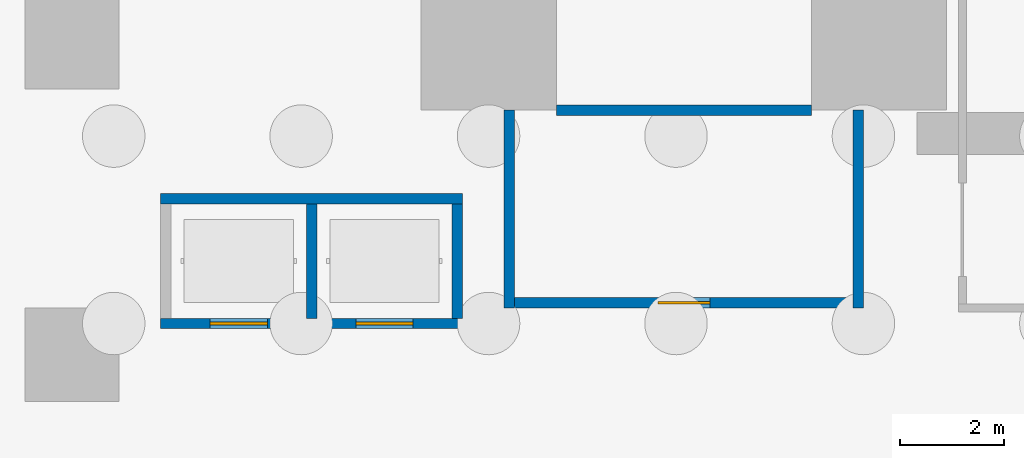
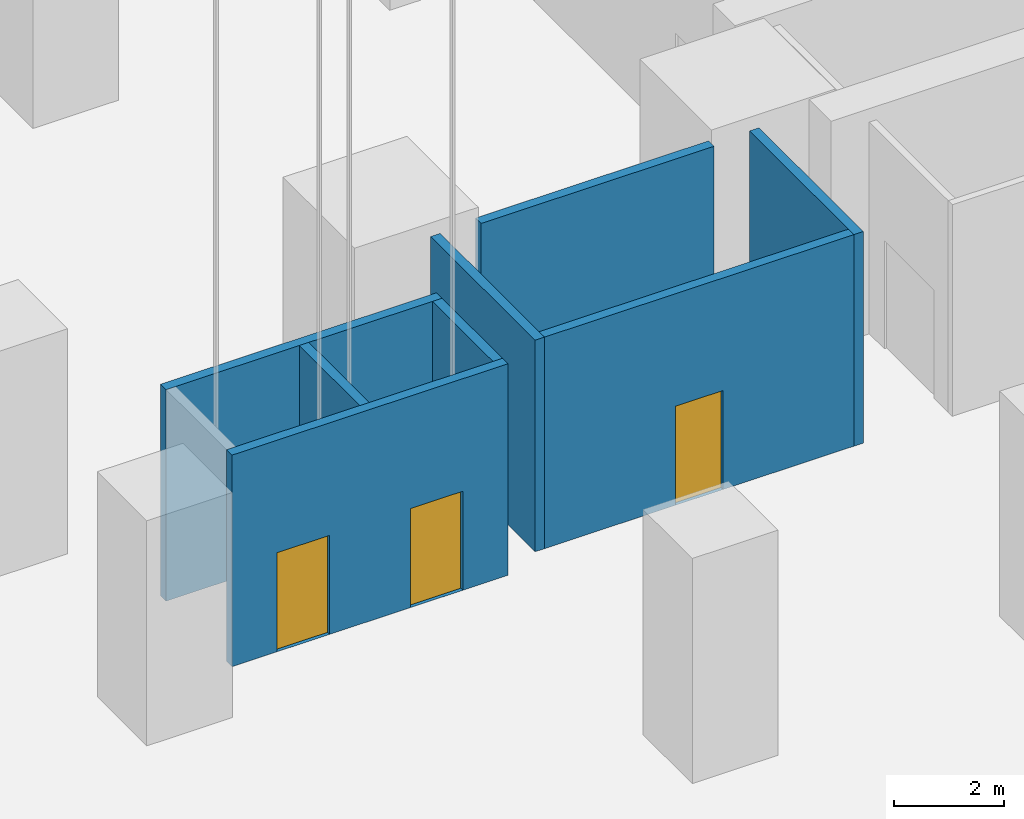
# One storey, part 7 of 31: 8 walls, 3 doors, 3 openings.
"""IFC4 building model written with IfcOpenShell, lengths in metres."""

from ifc_helpers import new_model, si_unit, direction, frame, frame_2d, origin, place, context, subcontext, project, spatial, rectangle, extrude, material, layer, layer_set, type_object, element, fill, save


model = new_model("IFC4")

# Units and contexts
model_context = context("Model", 3, precision=1e-05, world=origin(), true_north=direction((0.0, 1.0)))
body_context = subcontext(model_context, "Body", "Model", "MODEL_VIEW")
ifc_project = project(units=[si_unit("LENGTHUNIT", "METRE"), si_unit("AREAUNIT", "SQUARE_METRE"), si_unit("VOLUMEUNIT", "CUBIC_METRE"), si_unit("PLANEANGLEUNIT", "RADIAN"), si_unit("MASSUNIT", "GRAM", prefix="KILO")], contexts=[model_context])

# Site, building, storey
site_placement = place(None, origin())
site = spatial("IfcSite", under=ifc_project, at=site_placement, CompositionType="ELEMENT")
building_placement = place(site_placement, origin())
building = spatial("IfcBuilding", under=site, at=building_placement, Name="Mizan Broadcast Tower", CompositionType="ELEMENT")
storey_placement = place(building_placement, frame((0.0, 0.0, -10.0)))
storey = spatial("IfcBuildingStorey", under=building, at=storey_placement, Name="B2", CompositionType="ELEMENT", Elevation=-10.0)

# Wall
ifc_material_1 = material(Name="Concrete blockwork", Category="masonry")
ifc_layer_1 = layer(ifc_material_1, 0.199951171875)
ifc_layer_set_1 = layer_set([ifc_layer_1], Name="Concrete blockwork")
wall_type_1 = type_object("IfcWallType", Name="LIFT SHAFT WALL 200", PredefinedType="SOLIDWALL", material=ifc_layer_set_1)
wall_1_placement = place(storey_placement, frame((-27.5, -3.0, 0.0), z_axis=(0.0, 0.0, 1.0), x_axis=(-1.0, 0.0, 0.0)))
element("IfcWall", 1, at=wall_1_placement, inside=storey, type_object=wall_type_1, Name="Lift shaft wall PLS/V0", PredefinedType="SOLIDWALL", context=body_context, shape_type="SweptSolid", body=[
    extrude(rectangle(XDim=5.800048828125, YDim=0.199951171875, at=frame_2d((2.89990234375, 0.0))), origin(), (0.0, 0.0, 1.0), 4.699951171875),
])

# Wall, openings, doors
wall_2_placement = place(storey_placement, frame((-33.300048828125, -5.39990234375, 0.0), z_axis=(0.0, 0.0, 1.0), x_axis=(1.0, 0.0, 0.0)))
wall_2 = element("IfcWall", 2, at=wall_2_placement, inside=storey, type_object=wall_type_1, Name="Lift shaft wall PLS/V1", PredefinedType="SOLIDWALL", context=body_context, shape_type="SweptSolid", body=[
    extrude(rectangle(XDim=5.800048828125, YDim=0.199951171875, at=frame_2d((2.89990234375, 0.0))), origin(), (0.0, 0.0, 1.0), 4.699951171875),
])
opening_1_placement = place(wall_2_placement, frame((3.75, 0.0, 0.0)))
opening_1 = element("IfcOpeningElement", 3, at=opening_1_placement, cuts=wall_2, Name="Opening LDP", PredefinedType="OPENING", context=body_context, shape_type="SweptSolid", body=[
    extrude(rectangle(XDim=1.10009765625, YDim=2.199951171875, at=frame_2d((0.550048828125, 1.10009765625))), frame((0.0, 0.10986328125, 0.0), z_axis=(0.0, -1.0, 0.0), x_axis=(1.0, 0.0, 0.0)), (0.0, 0.0, 1.0), 0.219970703125),
])
opening_2_placement = place(wall_2_placement, frame((0.949951171875, 0.0, 0.0)))
opening_2 = element("IfcOpeningElement", 4, at=opening_2_placement, cuts=wall_2, Name="Opening LDP", PredefinedType="OPENING", context=body_context, shape_type="SweptSolid", body=[
    extrude(rectangle(XDim=1.10009765625, YDim=2.199951171875, at=frame_2d((0.550048828125, 1.10009765625))), frame((0.0, 0.10986328125, 0.0), z_axis=(0.0, -1.0, 0.0), x_axis=(1.0, 0.0, 0.0)), (0.0, 0.0, 1.0), 0.219970703125),
])
ifc_material_2 = material(Name="Steel door leaf in steel frame", Category="steel")
door_type_1 = type_object("IfcDoorType", Name="PODIUM LIFT LANDING DOOR 1100", OperationType="SLIDING_TO_LEFT", PredefinedType="DOOR", material=ifc_material_2)
door_1_placement = place(opening_1_placement, origin())
door_1 = element("IfcDoor", 5, at=door_1_placement, inside=storey, type_object=door_type_1, Name="Landing door PL1", OperationType="SLIDING_TO_LEFT", OverallHeight=2.199951171875, OverallWidth=1.10009765625, PredefinedType="DOOR", context=body_context, shape_type="SweptSolid", body=[
    extrude(rectangle(XDim=1.10009765625, YDim=2.199951171875, at=frame_2d((0.550048828125, 1.10009765625))), frame((0.0, 0.02490234375, 0.0), z_axis=(0.0, -1.0, 0.0), x_axis=(1.0, 0.0, 0.0)), (0.0, 0.0, 1.0), 0.050048828125),
])
fill(opening_1, door_1)
door_2_placement = place(opening_2_placement, origin())
door_2 = element("IfcDoor", 6, at=door_2_placement, inside=storey, type_object=door_type_1, Name="Landing door PL2", OperationType="SLIDING_TO_LEFT", OverallHeight=2.199951171875, OverallWidth=1.10009765625, PredefinedType="DOOR", context=body_context, shape_type="SweptSolid", body=[
    extrude(rectangle(XDim=1.10009765625, YDim=2.199951171875, at=frame_2d((0.550048828125, 1.10009765625))), frame((0.0, 0.02490234375, 0.0), z_axis=(0.0, -1.0, 0.0), x_axis=(1.0, 0.0, 0.0)), (0.0, 0.0, 1.0), 0.050048828125),
])
fill(opening_2, door_2)

# Walls
for number, where, z_axis, x_axis, name in (
    (7, (-27.60009765625, -3.10009765625, 0.0), (0.0, 0.0, 1.0), (0.0, -1.0, 0.0), "Lift shaft wall PLS/U0"),
    (8, (-30.39990234375, -3.10009765625, 0.0), (0.0, 0.0, 1.0), (0.0, -1.0, 0.0), "Lift shaft wall PLS/U1"),
):
    element("IfcWall", number, at=place(storey_placement, frame(where, z_axis=z_axis, x_axis=x_axis)), inside=storey, type_object=wall_type_1, Name=name, PredefinedType="SOLIDWALL", context=body_context, shape_type="SweptSolid", body=[
        extrude(rectangle(XDim=2.199951171875, YDim=0.199951171875, at=frame_2d((1.10009765625, 0.0))), origin(), (0.0, 0.0, 1.0), 4.699951171875),
    ])
ifc_material_3 = material(Name="Concrete C40/50", Category="concrete")
ifc_layer_2 = layer(ifc_material_3, 0.199951171875)
ifc_layer_set_2 = layer_set([ifc_layer_2], Name="Concrete C40/50")
wall_type_2 = type_object("IfcWallType", Name="STAIR SHAFT WALL 200 RC", PredefinedType="SOLIDWALL", material=ifc_layer_set_2)
for number, where, z_axis, x_axis, name in (
    (9, (-19.89990234375, -1.300048828125, 0.0), (0.0, 0.0, 1.0), (0.0, -1.0, 0.0), "Stair shaft wall D U0 B2"),
    (10, (-26.60009765625, -5.10009765625, 0.0), (0.0, 0.0, 1.0), (0.0, 1.0, 0.0), "Stair shaft wall D U1 B2"),
):
    element("IfcWall", number, at=place(storey_placement, frame(where, z_axis=z_axis, x_axis=x_axis)), inside=storey, type_object=wall_type_2, Name=name, PredefinedType="SOLIDWALL", context=body_context, shape_type="SweptSolid", body=[
        extrude(rectangle(XDim=3.800048828125, YDim=0.199951171875, at=frame_2d((1.89990234375, 0.0))), origin(), (0.0, 0.0, 1.0), 4.699951171875),
    ])
wall_3_placement = place(storey_placement, frame((-20.800048828125, -1.300048828125, 0.0), z_axis=(0.0, 0.0, 1.0), x_axis=(-1.0, 0.0, 0.0)))
element("IfcWall", 11, at=wall_3_placement, inside=storey, type_object=wall_type_2, Name="Stair shaft wall D V0 B2", PredefinedType="SOLIDWALL", context=body_context, shape_type="SweptSolid", body=[
    extrude(rectangle(XDim=4.89990234375, YDim=0.199951171875, at=frame_2d((2.449951171875, 0.0))), origin(), (0.0, 0.0, 1.0), 4.699951171875),
])

# Wall, opening, door
wall_4_placement = place(storey_placement, frame((-26.5, -5.0, 0.0), z_axis=(0.0, 0.0, 1.0), x_axis=(1.0, 0.0, 0.0)))
wall_4 = element("IfcWall", 12, at=wall_4_placement, inside=storey, type_object=wall_type_2, Name="Stair shaft wall D V1 B2", PredefinedType="SOLIDWALL", context=body_context, shape_type="SweptSolid", body=[
    extrude(rectangle(XDim=6.5, YDim=0.199951171875, at=frame_2d((3.25, 0.0))), origin(), (0.0, 0.0, 1.0), 4.699951171875),
])
opening_3_placement = place(wall_4_placement, frame((2.75, 0.0, 0.0)))
opening_3 = element("IfcOpeningElement", 13, at=opening_3_placement, cuts=wall_4, Name="Opening D10F", PredefinedType="OPENING", context=body_context, shape_type="SweptSolid", body=[
    extrude(rectangle(XDim=1.0, YDim=2.199951171875, at=frame_2d((0.5, 1.10009765625))), frame((0.0, 0.10986328125, 0.0), z_axis=(0.0, -1.0, 0.0), x_axis=(1.0, 0.0, 0.0)), (0.0, 0.0, 1.0), 0.219970703125),
])
ifc_material_4 = material(Name="Steel door leaf in steel frame", Category="steel")
door_type_2 = type_object("IfcDoorType", Name="FIRE DOOR 1000 FD90", OperationType="SINGLE_SWING_LEFT", PredefinedType="DOOR", material=ifc_material_4)
door_3_placement = place(opening_3_placement, origin())
door_3 = element("IfcDoor", 14, at=door_3_placement, inside=storey, type_object=door_type_2, Name="Car park store D door", OperationType="SINGLE_SWING_RIGHT", OverallHeight=2.199951171875, OverallWidth=1.0, PredefinedType="DOOR", context=body_context, shape_type="SweptSolid", body=[
    extrude(rectangle(XDim=1.0, YDim=2.199951171875, at=frame_2d((0.5, 1.10009765625))), frame((0.0, 0.02490234375, 0.0), z_axis=(0.0, -1.0, 0.0), x_axis=(1.0, 0.0, 0.0)), (0.0, 0.0, 1.0), 0.050048828125),
])
fill(opening_3, door_3)

save(model, "model.ifc")
